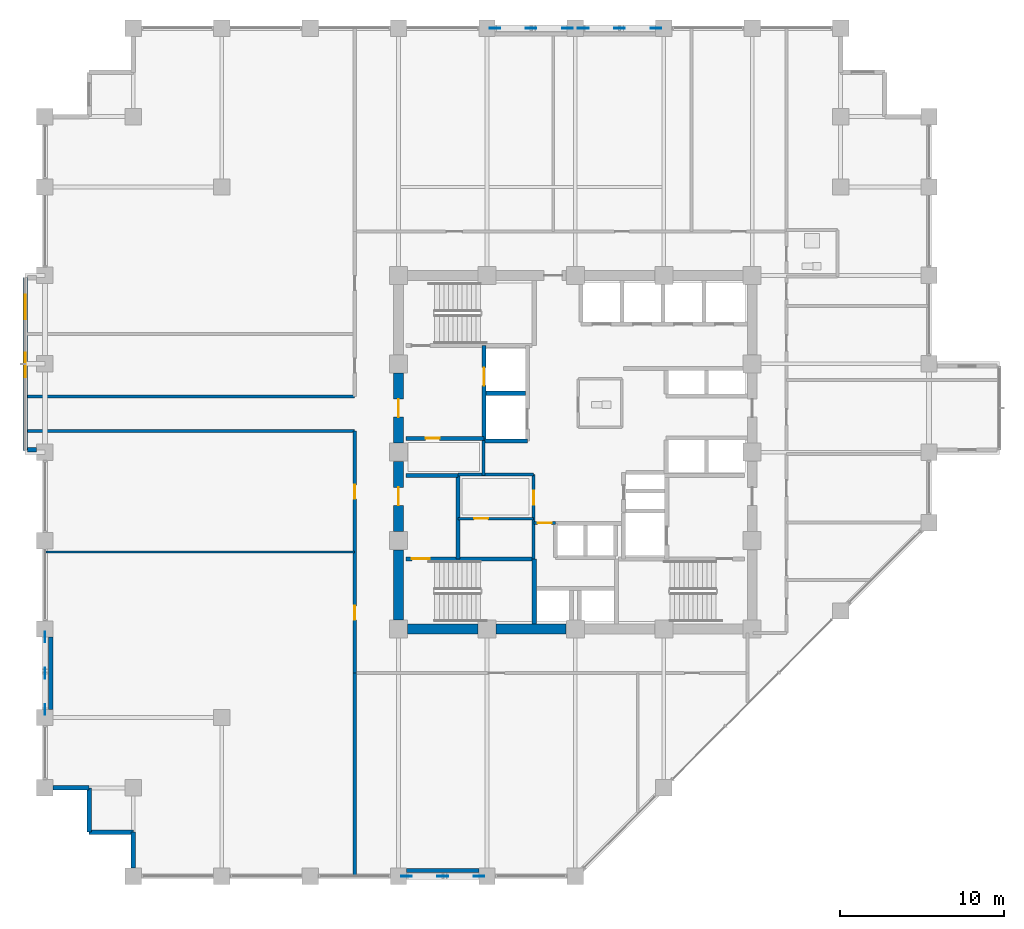
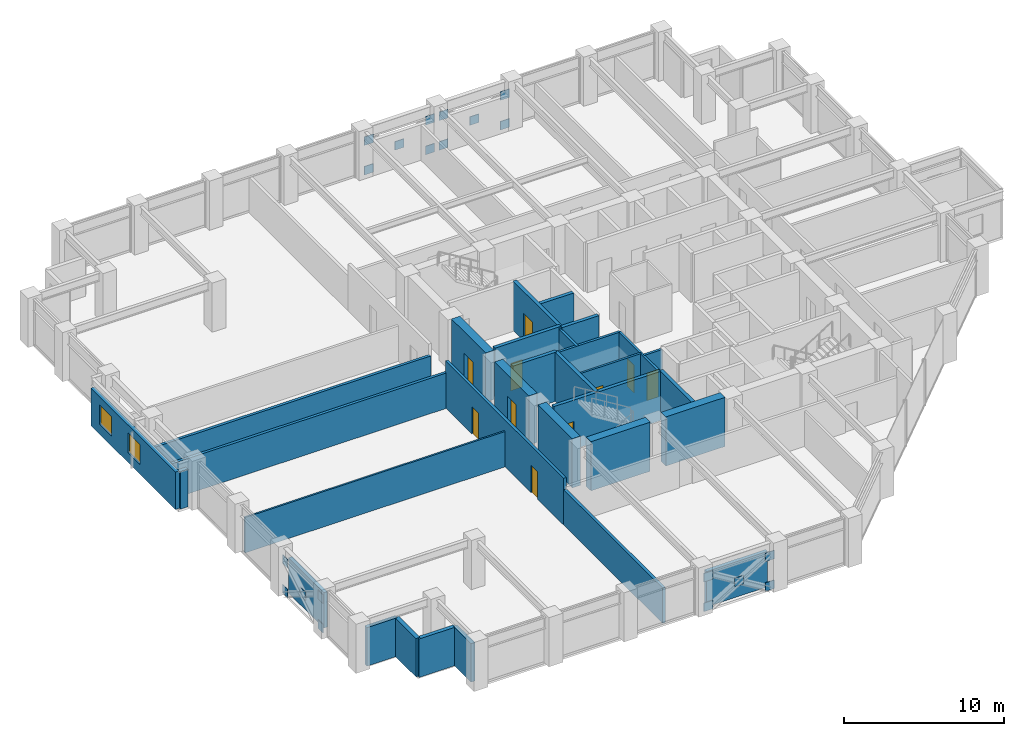
# One storey, part 19 of 26: 31 walls, 20 plates, 10 doors, 2 windows, 12 openings.
"""IFC4 building model written with IfcOpenShell, lengths in metres."""

from ifc_helpers import new_model, si_unit, direction, frame, frame_2d, origin, origin_2d, place, context, subcontext, project, spatial, rectangle, extrude, material, layer, layer_set, type_object, element, fill, save


model = new_model("IFC4")

# Units and contexts
model_context = context("Model", 3, precision=1e-05, world=origin(), true_north=direction((0.0, 1.0)))
body_context = subcontext(model_context, "Body", "Model", "MODEL_VIEW")
ifc_project = project(units=[si_unit("LENGTHUNIT", "METRE"), si_unit("AREAUNIT", "SQUARE_METRE"), si_unit("VOLUMEUNIT", "CUBIC_METRE"), si_unit("PLANEANGLEUNIT", "RADIAN"), si_unit("MASSUNIT", "GRAM", prefix="KILO")], contexts=[model_context])

# Site, building, storey
site_placement = place(None, origin())
site = spatial("IfcSite", under=ifc_project, at=site_placement, CompositionType="ELEMENT")
building_placement = place(site_placement, origin())
building = spatial("IfcBuilding", under=site, at=building_placement, Name="Surkhivell Harbour Commons", CompositionType="ELEMENT")
storey_placement = place(building_placement, frame((0.0, 0.0, 147.0)))
storey = spatial("IfcBuildingStorey", under=building, at=storey_placement, Name="L38", CompositionType="ELEMENT", Elevation=147.0)

# Plates
ifc_material_1 = material(Name="Steel S460", Category="steel")
ifc_layer_1 = layer(ifc_material_1, 0.044921875)
ifc_layer_set_1 = layer_set([ifc_layer_1], Name="Steel S460")
plate_type = type_object("IfcPlateType", Name="PLT-GUS-650", PredefinedType="USERDEFINED", material=ifc_layer_set_1)
for number, where, z_axis, x_axis, name in (
    (1, (-4.9150390625, 25.89990234375, -0.08935546875), (0.0, 0.0, 1.0), (1.0, 0.0, 0.0), "L38 Perimeter Mega-Brace MB- Corner Gusset N-1"),
    (2, (-0.485107421875, 25.89990234375, -0.08935546875), (0.0, 0.0, 1.0), (1.0, 0.0, 0.0), "L38 Perimeter Mega-Brace MB- Corner Gusset N-2"),
    (3, (-4.9150390625, 25.89990234375, 2.170654296875), (0.0, 0.0, 1.0), (1.0, 0.0, 0.0), "L38 Perimeter Mega-Brace MB- Corner Gusset N-3"),
    (4, (-0.485107421875, 25.89990234375, 2.170654296875), (0.0, 0.0, 1.0), (1.0, 0.0, 0.0), "L38 Perimeter Mega-Brace MB- Corner Gusset N-4"),
    (5, (-2.699951171875, 25.89990234375, 1.04052734375), (0.0, 0.0, 1.0), (1.0, 0.0, 0.0), "L38 Perimeter Mega-Brace MB- Central Crossing Gusset N"),
    (6, (0.485107421875, 25.89990234375, -0.08935546875), (0.0, 0.0, 1.0), (1.0, 0.0, 0.0), "L38 Perimeter Mega-Brace MB- Corner Gusset N2-1"),
    (7, (4.9150390625, 25.89990234375, -0.08935546875), (0.0, 0.0, 1.0), (1.0, 0.0, 0.0), "L38 Perimeter Mega-Brace MB- Corner Gusset N2-2"),
    (8, (0.485107421875, 25.89990234375, 2.170654296875), (0.0, 0.0, 1.0), (1.0, 0.0, 0.0), "L38 Perimeter Mega-Brace MB- Corner Gusset N2-3"),
    (9, (4.9150390625, 25.89990234375, 2.170654296875), (0.0, 0.0, 1.0), (1.0, 0.0, 0.0), "L38 Perimeter Mega-Brace MB- Corner Gusset N2-4"),
    (10, (2.699951171875, 25.89990234375, 1.04052734375), (0.0, 0.0, 1.0), (1.0, 0.0, 0.0), "L38 Perimeter Mega-Brace MB- Central Crossing Gusset N2"),
    (11, (-10.31494140625, -25.89990234375, -0.08935546875), (0.0, 0.0, 1.0), (1.0, 0.0, 0.0), "L38 Perimeter Mega-Brace MB- Corner Gusset S-1"),
    (12, (-5.885009765625, -25.89990234375, -0.08935546875), (0.0, 0.0, 1.0), (1.0, 0.0, 0.0), "L38 Perimeter Mega-Brace MB- Corner Gusset S-2"),
    (13, (-10.31494140625, -25.89990234375, 2.170654296875), (0.0, 0.0, 1.0), (1.0, 0.0, 0.0), "L38 Perimeter Mega-Brace MB- Corner Gusset S-3"),
    (14, (-5.885009765625, -25.89990234375, 2.170654296875), (0.0, 0.0, 1.0), (1.0, 0.0, 0.0), "L38 Perimeter Mega-Brace MB- Corner Gusset S-4"),
    (15, (-8.10009765625, -25.89990234375, 1.04052734375), (0.0, 0.0, 1.0), (1.0, 0.0, 0.0), "L38 Perimeter Mega-Brace MB- Central Crossing Gusset S"),
    (16, (-32.39990234375, -15.715087890625, -0.08935546875), (0.0, 0.0, 1.0), (0.0, 1.0, 0.0), "L38 Perimeter Mega-Brace MB- Corner Gusset W-1"),
    (17, (-32.39990234375, -11.284912109375, -0.08935546875), (0.0, 0.0, 1.0), (0.0, 1.0, 0.0), "L38 Perimeter Mega-Brace MB- Corner Gusset W-2"),
    (18, (-32.39990234375, -15.715087890625, 2.170654296875), (0.0, 0.0, 1.0), (0.0, 1.0, 0.0), "L38 Perimeter Mega-Brace MB- Corner Gusset W-3"),
    (19, (-32.39990234375, -11.284912109375, 2.170654296875), (0.0, 0.0, 1.0), (0.0, 1.0, 0.0), "L38 Perimeter Mega-Brace MB- Corner Gusset W-4"),
    (20, (-32.39990234375, -13.5, 1.04052734375), (0.0, 0.0, 1.0), (0.0, 1.0, 0.0), "L38 Perimeter Mega-Brace MB- Central Crossing Gusset W"),
):
    element("IfcPlate", number, at=place(storey_placement, frame(where, z_axis=z_axis, x_axis=x_axis)), inside=storey, type_object=plate_type, Name=name, ObjectType="GUSSET_PLATE", PredefinedType="USERDEFINED", context=body_context, shape_type="SweptSolid", body=[
        extrude(rectangle(XDim=0.64990234375, YDim=0.044921875, at=origin_2d()), origin(), (0.0, 0.0, 1.0), 0.64990234375),
    ])

# Walls
ifc_material_2 = material(Name="Concrete C60/75", Category="concrete")
ifc_layer_2 = layer(ifc_material_2, 0.60009765625)
ifc_layer_set_2 = layer_set([ifc_layer_2], Name="Concrete C60/75")
wall_type_1 = type_object("IfcWallType", Name="WAL-CORE-600", PredefinedType="SHEAR", material=ifc_layer_set_2)
for number, where, z_axis, x_axis, name in (
    (21, (-10.239990234375, -10.800048828125, 0.0), (0.0, 0.0, 1.0), (1.0, 0.0, 0.0), "L38 Core Shear Wall South 1"),
    (22, (-10.800048828125, -10.239990234375, 0.0), (0.0, 0.0, 1.0), (0.0, 1.0, 0.0), "L38 Core Shear Wall West 1"),
    (23, (-4.840087890625, -10.800048828125, 0.0), (0.0, 0.0, 1.0), (1.0, 0.0, 0.0), "L38 Core Shear Wall South 2"),
):
    element("IfcWall", number, at=place(storey_placement, frame(where, z_axis=z_axis, x_axis=x_axis)), inside=storey, type_object=wall_type_1, Name=name, PredefinedType="SHEAR", context=body_context, shape_type="SweptSolid", body=[
        extrude(rectangle(XDim=4.280029296875, YDim=0.60009765625, at=frame_2d((2.14013671875, 0.0))), origin(), (0.0, 0.0, 1.0), 3.75),
    ])

# Wall, opening, door
wall_1_placement = place(storey_placement, frame((-10.800048828125, -4.840087890625, 0.0), z_axis=(0.0, 0.0, 1.0), x_axis=(0.0, 1.0, 0.0)))
wall_1 = element("IfcWall", 24, at=wall_1_placement, inside=storey, type_object=wall_type_1, Name="L38 Core Shear Wall West 2", PredefinedType="SHEAR", context=body_context, shape_type="SweptSolid", body=[
    extrude(rectangle(XDim=4.280029296875, YDim=0.60009765625, at=frame_2d((2.14013671875, 0.0))), origin(), (0.0, 0.0, 1.0), 3.75),
])
opening_1_placement = place(wall_1_placement, frame((1.590087890625, 0.0, 0.0)))
opening_1 = element("IfcOpeningElement", 25, at=opening_1_placement, cuts=wall_1, Name="Opening ID-2", PredefinedType="OPENING", context=body_context, shape_type="SweptSolid", body=[
    extrude(rectangle(XDim=1.10009765625, YDim=2.10009765625, at=frame_2d((0.550048828125, 1.050048828125))), frame((0.0, 0.31005859375, 0.0), z_axis=(0.0, -1.0, 0.0), x_axis=(1.0, 0.0, 0.0)), (0.0, 0.0, 1.0), 0.6201171875),
])
ifc_material_3 = material(Name="Hardwood-veneered fire-rated door leaf", Category="wood")
door_type_1 = type_object("IfcDoorType", Name="DOR-FD60-1100", OperationType="NOTDEFINED", PredefinedType="DOOR", material=ifc_material_3)
door_1_placement = place(opening_1_placement, origin())
door_1 = element("IfcDoor", 26, at=door_1_placement, inside=storey, type_object=door_type_1, Name="L38 Stair 3 Lobby Corridor Door", OperationType="SINGLE_SWING_LEFT", OverallHeight=2.10009765625, OverallWidth=1.10009765625, PredefinedType="DOOR", context=body_context, shape_type="SweptSolid", body=[
    extrude(rectangle(XDim=1.10009765625, YDim=2.10009765625, at=frame_2d((0.550048828125, 1.050048828125))), frame((0.0, 0.02490234375, 0.0), z_axis=(0.0, -1.0, 0.0), x_axis=(1.0, 0.0, 0.0)), (0.0, 0.0, 1.0), 0.050048828125),
])
fill(opening_1, door_1)

wall_2_placement = place(storey_placement, frame((-10.800048828125, 0.56005859375, 0.0), z_axis=(0.0, 0.0, 1.0), x_axis=(0.0, 1.0, 0.0)))
wall_2 = element("IfcWall", 27, at=wall_2_placement, inside=storey, type_object=wall_type_1, Name="L38 Core Shear Wall West 3", PredefinedType="SHEAR", context=body_context, shape_type="SweptSolid", body=[
    extrude(rectangle(XDim=4.280029296875, YDim=0.60009765625, at=frame_2d((2.14013671875, 0.0))), origin(), (0.0, 0.0, 1.0), 3.75),
])
opening_2_placement = place(wall_2_placement, frame((1.590087890625, 0.0, 0.0)))
opening_2 = element("IfcOpeningElement", 28, at=opening_2_placement, cuts=wall_2, Name="Opening ID-1", PredefinedType="OPENING", context=body_context, shape_type="SweptSolid", body=[
    extrude(rectangle(XDim=1.10009765625, YDim=2.10009765625, at=frame_2d((0.550048828125, 1.050048828125))), frame((0.0, 0.31005859375, 0.0), z_axis=(0.0, -1.0, 0.0), x_axis=(1.0, 0.0, 0.0)), (0.0, 0.0, 1.0), 0.6201171875),
])
door_type_2 = type_object("IfcDoorType", Name="DOR-FD120-1100", OperationType="NOTDEFINED", PredefinedType="DOOR", material=ifc_material_3)
door_2_placement = place(opening_2_placement, origin())
door_2 = element("IfcDoor", 29, at=door_2_placement, inside=storey, type_object=door_type_2, Name="L38 Firefighting Lobby 1 Corridor Door", OperationType="SINGLE_SWING_LEFT", OverallHeight=2.10009765625, OverallWidth=1.10009765625, PredefinedType="DOOR", context=body_context, shape_type="SweptSolid", body=[
    extrude(rectangle(XDim=1.10009765625, YDim=2.10009765625, at=frame_2d((0.550048828125, 1.050048828125))), frame((0.0, 0.02490234375, 0.0), z_axis=(0.0, -1.0, 0.0), x_axis=(1.0, 0.0, 0.0)), (0.0, 0.0, 1.0), 0.050048828125),
])
fill(opening_2, door_2)

# Walls
ifc_material_4 = material(Name="Pale-metal insulated precast concrete C45/55", Category="concrete")
ifc_layer_3 = layer(ifc_material_4, 0.260009765625)
ifc_layer_set_3 = layer_set([ifc_layer_3], Name="Pale-metal insulated precast concrete C45/55")
wall_type_2 = type_object("IfcWallType", Name="WAL-EXT-MTL260", PredefinedType="STANDARD", material=ifc_layer_set_3)
wall_3_placement = place(storey_placement, frame((-10.302001953125, -25.5400390625, 0.0), z_axis=(0.0, 0.0, 1.0), x_axis=(1.0, 0.0, 0.0)))
element("IfcWall", 30, at=wall_3_placement, inside=storey, type_object=wall_type_2, Name="L38 Braced-Bay Insulated Spandrel Backing S", PredefinedType="STANDARD", context=body_context, shape_type="SweptSolid", body=[
    extrude(rectangle(XDim=4.404052734375, YDim=0.260009765625, at=frame_2d((2.2021484375, 0.0))), origin(), (0.0, 0.0, 1.0), 2.698974609375),
])
wall_4_placement = place(storey_placement, frame((-32.0400390625, -15.701904296875, 0.0), z_axis=(0.0, 0.0, 1.0), x_axis=(0.0, 1.0, 0.0)))
element("IfcWall", 31, at=wall_4_placement, inside=storey, type_object=wall_type_2, Name="L38 Braced-Bay Insulated Spandrel Backing W", PredefinedType="STANDARD", context=body_context, shape_type="SweptSolid", body=[
    extrude(rectangle(XDim=4.40380859375, YDim=0.260009765625, at=frame_2d((2.201904296875, 0.0))), origin(), (0.0, 0.0, 1.0), 2.698974609375),
])

# Wall, openings, windows
ifc_material_5 = material(Name="Terracotta-clad reinforced concrete C45/55", Category="masonry")
ifc_layer_4 = layer(ifc_material_5, 0.280029296875)
ifc_layer_set_4 = layer_set([ifc_layer_4], Name="Terracotta-clad reinforced concrete C45/55")
wall_type_3 = type_object("IfcWallType", Name="WAL-EXT-TER280", PredefinedType="STANDARD", material=ifc_layer_set_4)
wall_5_placement = place(storey_placement, frame((-33.60009765625, 10.679931640625, 0.0), z_axis=(0.0, 0.0, 1.0), x_axis=(0.0, -1.0, 0.0)))
wall_5 = element("IfcWall", 32, at=wall_5_placement, inside=storey, type_object=wall_type_3, Name="L38 Coloured Box Front Wall 02", PredefinedType="STANDARD", context=body_context, shape_type="SweptSolid", body=[
    extrude(rectangle(XDim=10.559814453125, YDim=0.280029296875, at=frame_2d((5.27978515625, 0.0))), origin(), (0.0, 0.0, 1.0), 2.85693359375),
])
opening_3_placement = place(wall_5_placement, frame((1.06494140625, 0.0, 0.75)))
opening_3 = element("IfcOpeningElement", 33, at=opening_3_placement, cuts=wall_5, Name="Opening WN-13", PredefinedType="OPENING", context=body_context, shape_type="SweptSolid", body=[
    extrude(rectangle(XDim=1.5, YDim=1.5, at=frame_2d((0.75, 0.75))), frame((0.0, 0.14990234375, 0.0), z_axis=(0.0, -1.0, 0.0), x_axis=(1.0, 0.0, 0.0)), (0.0, 0.0, 1.0), 0.300048828125),
])
opening_4_placement = place(wall_5_placement, frame((4.614990234375, 0.0, 0.75)))
opening_4 = element("IfcOpeningElement", 34, at=opening_4_placement, cuts=wall_5, Name="Opening WN-13", PredefinedType="OPENING", context=body_context, shape_type="SweptSolid", body=[
    extrude(rectangle(XDim=1.5, YDim=1.5, at=frame_2d((0.75, 0.75))), frame((0.0, 0.14990234375, 0.0), z_axis=(0.0, -1.0, 0.0), x_axis=(1.0, 0.0, 0.0)), (0.0, 0.0, 1.0), 0.300048828125),
])
ifc_material_6 = material(Name="Thermal-break aluminium frame and double low-E glazing", Category="aluminium")
window_type = type_object("IfcWindowType", Name="WIN-BOX-1500x1500", PartitioningType="SINGLE_PANEL", PredefinedType="WINDOW", material=ifc_material_6)
window_1_placement = place(opening_3_placement, origin())
window_1 = element("IfcWindow", 35, at=window_1_placement, inside=storey, type_object=window_type, Name="L38 Coloured Box Square Window 02-1", OverallHeight=1.5, OverallWidth=1.5, PartitioningType="SINGLE_PANEL", PredefinedType="WINDOW", context=body_context, shape_type="SweptSolid", body=[
    extrude(rectangle(XDim=1.5, YDim=1.5, at=frame_2d((0.75, 0.75))), frame((0.0, 0.030029296875, 0.0), z_axis=(0.0, -1.0, 0.0), x_axis=(1.0, 0.0, 0.0)), (0.0, 0.0, 1.0), 0.06005859375),
])
fill(opening_3, window_1)
window_2_placement = place(opening_4_placement, origin())
window_2 = element("IfcWindow", 36, at=window_2_placement, inside=storey, type_object=window_type, Name="L38 Coloured Box Square Window 02-2", OverallHeight=1.5, OverallWidth=1.5, PartitioningType="SINGLE_PANEL", PredefinedType="WINDOW", context=body_context, shape_type="SweptSolid", body=[
    extrude(rectangle(XDim=1.5, YDim=1.5, at=frame_2d((0.75, 0.75))), frame((0.0, 0.030029296875, 0.0), z_axis=(0.0, -1.0, 0.0), x_axis=(1.0, 0.0, 0.0)), (0.0, 0.0, 1.0), 0.06005859375),
])
fill(opening_4, window_2)

# Walls
wall_6_placement = place(storey_placement, frame((-33.4599609375, 0.139892578125, 0.0), z_axis=(0.0, 0.0, 1.0), x_axis=(1.0, 0.0, 0.0)))
element("IfcWall", 37, at=wall_6_placement, inside=storey, type_object=wall_type_3, Name="L38 Coloured Box Return Wall 02S", PredefinedType="STANDARD", context=body_context, shape_type="SweptSolid", body=[
    extrude(rectangle(XDim=0.555908203125, YDim=0.280029296875, at=frame_2d((0.27783203125, 0.0))), origin(), (0.0, 0.0, 1.0), 2.85693359375),
])
wall_7_placement = place(storey_placement, frame((-31.902099609375, -20.5, 0.0), z_axis=(0.0, 0.0, 1.0), x_axis=(1.0, 0.0, 0.0)))
element("IfcWall", 38, at=wall_7_placement, inside=storey, type_object=wall_type_3, Name="L38 Serrated Corner Facade Wall 13", PredefinedType="STANDARD", context=body_context, shape_type="SweptSolid", body=[
    extrude(rectangle(XDim=2.2021484375, YDim=0.280029296875, at=frame_2d((1.10107421875, 0.0))), origin(), (0.0, 0.0, 1.0), 2.93310546875),
])
for number, where, z_axis, x_axis, name in (
    (39, (-29.699951171875, -20.5, 0.0), (0.0, 0.0, 1.0), (0.0, -1.0, 0.0), "L38 Serrated Corner Facade Wall 14"),
    (40, (-29.699951171875, -23.199951171875, 0.0), (0.0, 0.0, 1.0), (1.0, 0.0, 0.0), "L38 Serrated Corner Facade Wall 15"),
):
    element("IfcWall", number, at=place(storey_placement, frame(where, z_axis=z_axis, x_axis=x_axis)), inside=storey, type_object=wall_type_3, Name=name, PredefinedType="STANDARD", context=body_context, shape_type="SweptSolid", body=[
        extrude(rectangle(XDim=2.699951171875, YDim=0.280029296875, at=frame_2d((1.35009765625, 0.0))), origin(), (0.0, 0.0, 1.0), 2.93310546875),
    ])
wall_8_placement = place(storey_placement, frame((-27.0, -23.199951171875, 0.0), z_axis=(0.0, 0.0, 1.0), x_axis=(0.0, -1.0, 0.0)))
element("IfcWall", 41, at=wall_8_placement, inside=storey, type_object=wall_type_3, Name="L38 Serrated Corner Facade Wall 16", PredefinedType="STANDARD", context=body_context, shape_type="SweptSolid", body=[
    extrude(rectangle(XDim=2.2021484375, YDim=0.280029296875, at=frame_2d((1.10107421875, 0.0))), origin(), (0.0, 0.0, 1.0), 2.93310546875),
])
ifc_material_7 = material(Name="Moisture-resistant acoustic stud partition", Category="other")
ifc_layer_5 = layer(ifc_material_7, 0.125)
ifc_layer_set_5 = layer_set([ifc_layer_5], Name="Moisture-resistant acoustic stud partition")
wall_type_4 = type_object("IfcWallType", Name="WAL-INT-125", PredefinedType="PARTITIONING", material=ifc_layer_set_5)
wall_9_placement = place(storey_placement, frame((-32.340087890625, -6.090087890625, 0.0), z_axis=(0.0, 0.0, 1.0), x_axis=(1.0, 0.0, 0.0)))
element("IfcWall", 42, at=wall_9_placement, inside=storey, type_object=wall_type_4, Name="L38 South-West Partition P1", PredefinedType="PARTITIONING", context=body_context, shape_type="SweptSolid", body=[
    extrude(rectangle(XDim=18.860107421875, YDim=0.125, at=frame_2d((9.43017578125, 0.0))), origin(), (0.0, 0.0, 1.0), 2.698974609375),
])

# Wall, opening, door
ifc_material_8 = material(Name="Twin-stud acoustic fireboard partition", Category="other")
ifc_layer_6 = layer(ifc_material_8, 0.14990234375)
ifc_layer_set_6 = layer_set([ifc_layer_6], Name="Twin-stud acoustic fireboard partition")
wall_type_5 = type_object("IfcWallType", Name="WAL-INT-150", PredefinedType="PARTITIONING", material=ifc_layer_set_6)
wall_10_placement = place(storey_placement, frame((-7.179931640625, -4.050048828125, 0.0), z_axis=(0.0, 0.0, 1.0), x_axis=(1.0, 0.0, 0.0)))
wall_10 = element("IfcWall", 43, at=wall_10_placement, inside=storey, type_object=wall_type_5, Name="L38 Core Cut A Partition", PredefinedType="PARTITIONING", context=body_context, shape_type="SweptSolid", body=[
    extrude(rectangle(XDim=4.6298828125, YDim=0.14990234375, at=frame_2d((2.31494140625, 0.0))), origin(), (0.0, 0.0, 1.0), 3.570068359375),
])
opening_5_placement = place(wall_10_placement, frame((1.0, 0.0, 0.0)))
opening_5 = element("IfcOpeningElement", 44, at=opening_5_placement, cuts=wall_10, Name="Opening ID-6", PredefinedType="OPENING", context=body_context, shape_type="SweptSolid", body=[
    extrude(rectangle(XDim=0.85009765625, YDim=2.10009765625, at=frame_2d((0.425048828125, 1.050048828125))), frame((0.0, 0.0849609375, 0.0), z_axis=(0.0, -1.0, 0.0), x_axis=(1.0, 0.0, 0.0)), (0.0, 0.0, 1.0), 0.169921875),
])
door_type_3 = type_object("IfcDoorType", Name="DOR-FD30-850", OperationType="NOTDEFINED", PredefinedType="DOOR", material=ifc_material_3)
door_3_placement = place(opening_5_placement, origin())
door_3 = element("IfcDoor", 45, at=door_3_placement, inside=storey, type_object=door_type_3, Name="L38 Linen Room Door", OperationType="SINGLE_SWING_RIGHT", OverallHeight=2.10009765625, OverallWidth=0.85009765625, PredefinedType="DOOR", context=body_context, shape_type="SweptSolid", body=[
    extrude(rectangle(XDim=0.85009765625, YDim=2.10009765625, at=frame_2d((0.425048828125, 1.050048828125))), frame((0.0, 0.02490234375, 0.0), z_axis=(0.0, -1.0, 0.0), x_axis=(1.0, 0.0, 0.0)), (0.0, 0.0, 1.0), 0.050048828125),
])
fill(opening_5, door_3)

ifc_material_9 = material(Name="High-density acoustic blockwork fire partition", Category="masonry")
ifc_layer_7 = layer(ifc_material_9, 0.175048828125)
ifc_layer_set_7 = layer_set([ifc_layer_7], Name="High-density acoustic blockwork fire partition")
wall_type_6 = type_object("IfcWallType", Name="WAL-INT-175", PredefinedType="PARTITIONING", material=ifc_layer_set_7)
wall_11_placement = place(storey_placement, frame((-2.550048828125, -6.510009765625, 0.0), z_axis=(0.0, 0.0, 1.0), x_axis=(0.0, 1.0, 0.0)))
wall_11 = element("IfcWall", 46, at=wall_11_placement, inside=storey, type_object=wall_type_6, Name="L38 Core Service Bay East Wall", PredefinedType="PARTITIONING", context=body_context, shape_type="SweptSolid", body=[
    extrude(rectangle(XDim=5.159912109375, YDim=0.175048828125, at=frame_2d((2.580078125, 0.0))), origin(), (0.0, 0.0, 1.0), 3.570068359375),
])
opening_6_placement = place(wall_11_placement, frame((3.300048828125, 0.0, 0.0)))
opening_6 = element("IfcOpeningElement", 47, at=opening_6_placement, cuts=wall_11, Name="Opening ID-6", PredefinedType="OPENING", context=body_context, shape_type="SweptSolid", body=[
    extrude(rectangle(XDim=0.85009765625, YDim=2.10009765625, at=frame_2d((0.425048828125, 1.050048828125))), frame((0.0, 0.097412109375, 0.0), z_axis=(0.0, -1.0, 0.0), x_axis=(1.0, 0.0, 0.0)), (0.0, 0.0, 1.0), 0.195068359375),
])
door_4_placement = place(opening_6_placement, origin())
door_4 = element("IfcDoor", 48, at=door_4_placement, inside=storey, type_object=door_type_3, Name="L38 Core Reading Alcove Door", OperationType="SINGLE_SWING_LEFT", OverallHeight=2.10009765625, OverallWidth=0.85009765625, PredefinedType="DOOR", context=body_context, shape_type="SweptSolid", body=[
    extrude(rectangle(XDim=0.85009765625, YDim=2.10009765625, at=frame_2d((0.425048828125, 1.050048828125))), frame((0.0, 0.02490234375, 0.0), z_axis=(0.0, -1.0, 0.0), x_axis=(1.0, 0.0, 0.0)), (0.0, 0.0, 1.0), 0.050048828125),
])
fill(opening_6, door_4)

# Walls
wall_12_placement = place(storey_placement, frame((-7.179931640625, -1.35009765625, 0.0), z_axis=(0.0, 0.0, 1.0), x_axis=(1.0, 0.0, 0.0)))
element("IfcWall", 49, at=wall_12_placement, inside=storey, type_object=wall_type_6, Name="L38 Core Service Bay North Wall", PredefinedType="PARTITIONING", context=body_context, shape_type="SweptSolid", body=[
    extrude(rectangle(XDim=4.6298828125, YDim=0.175048828125, at=frame_2d((2.31494140625, 0.0))), origin(), (0.0, 0.0, 1.0), 3.570068359375),
])
wall_13_placement = place(storey_placement, frame((-5.6201171875, -1.419921875, 0.0), z_axis=(0.0, 0.0, 1.0), x_axis=(0.0, 1.0, 0.0)))
element("IfcWall", 50, at=wall_13_placement, inside=storey, type_object=wall_type_6, Name="L38 West Core Bay East Wall", PredefinedType="PARTITIONING", context=body_context, shape_type="SweptSolid", body=[
    extrude(rectangle(XDim=2.139892578125, YDim=0.175048828125, at=frame_2d((1.06982421875, 0.0))), origin(), (0.0, 0.0, 1.0), 3.570068359375),
])

# Wall, opening, door
wall_14_placement = place(storey_placement, frame((-2.52001953125, -4.320068359375, 0.0), z_axis=(0.0, 0.0, 1.0), x_axis=(1.0, 0.0, 0.0)))
wall_14 = element("IfcWall", 51, at=wall_14_placement, inside=storey, type_object=wall_type_6, Name="L38 High-Rise Lobby North Portal Wall", PredefinedType="PARTITIONING", context=body_context, shape_type="SweptSolid", body=[
    extrude(rectangle(XDim=1.300048828125, YDim=0.175048828125, at=frame_2d((0.64990234375, 0.0))), origin(), (0.0, 0.0, 1.0), 3.570068359375),
])
opening_7_placement = place(wall_14_placement, frame((0.219970703125, 0.0, 0.0)))
opening_7 = element("IfcOpeningElement", 52, at=opening_7_placement, cuts=wall_14, Name="Opening ID-6", PredefinedType="OPENING", context=body_context, shape_type="SweptSolid", body=[
    extrude(rectangle(XDim=0.85009765625, YDim=2.10009765625, at=frame_2d((0.425048828125, 1.050048828125))), frame((0.0, 0.097412109375, 0.0), z_axis=(0.0, -1.0, 0.0), x_axis=(1.0, 0.0, 0.0)), (0.0, 0.0, 1.0), 0.195068359375),
])
door_5_placement = place(opening_7_placement, origin())
door_5 = element("IfcDoor", 53, at=door_5_placement, inside=storey, type_object=door_type_3, Name="L38 High-Rise Lift Lobby North Door", OperationType="SINGLE_SWING_LEFT", OverallHeight=2.10009765625, OverallWidth=0.85009765625, PredefinedType="DOOR", context=body_context, shape_type="SweptSolid", body=[
    extrude(rectangle(XDim=0.85009765625, YDim=2.10009765625, at=frame_2d((0.425048828125, 1.050048828125))), frame((0.0, 0.02490234375, 0.0), z_axis=(0.0, -1.0, 0.0), x_axis=(1.0, 0.0, 0.0)), (0.0, 0.0, 1.0), 0.050048828125),
])
fill(opening_7, door_5)

# Walls
ifc_material_10 = material(Name="Autoclaved aerated concrete blockwork and fire plaster", Category="masonry")
ifc_layer_8 = layer(ifc_material_10, 0.199951171875)
ifc_layer_set_8 = layer_set([ifc_layer_8], Name="Autoclaved aerated concrete blockwork and fire plaster")
wall_type_7 = type_object("IfcWallType", Name="WAL-INT-200", PredefinedType="PARTITIONING", material=ifc_layer_set_8)
wall_15_placement = place(storey_placement, frame((-13.47998046875, -25.840087890625, 0.0), z_axis=(0.0, 0.0, 1.0), x_axis=(0.0, 1.0, 0.0)))
element("IfcWall", 54, at=wall_15_placement, inside=storey, type_object=wall_type_7, Name="L38 South-West Wing Corner Divider", PredefinedType="PARTITIONING", context=body_context, shape_type="SweptSolid", body=[
    extrude(rectangle(XDim=12.360107421875, YDim=0.199951171875, at=frame_2d((6.18017578125, 0.0))), origin(), (0.0, 0.0, 1.0), 2.698974609375),
])
for number, where, z_axis, x_axis, name in (
    (55, (-33.5400390625, 3.39990234375, 0.0), (0.0, 0.0, 1.0), (1.0, 0.0, 0.0), "L38 West Alcove North Wall"),
    (56, (-33.5400390625, 1.300048828125, 0.0), (0.0, 0.0, 1.0), (1.0, 0.0, 0.0), "L38 West Alcove South Wall"),
):
    element("IfcWall", number, at=place(storey_placement, frame(where, z_axis=z_axis, x_axis=x_axis)), inside=storey, type_object=wall_type_7, Name=name, PredefinedType="PARTITIONING", context=body_context, shape_type="SweptSolid", body=[
        extrude(rectangle(XDim=20.06005859375, YDim=0.199951171875, at=frame_2d((10.030029296875, 0.0))), origin(), (0.0, 0.0, 1.0), 2.698974609375),
    ])

# Wall, openings, doors
wall_16_placement = place(storey_placement, frame((-13.47998046875, -13.47998046875, 0.0), z_axis=(0.0, 0.0, 1.0), x_axis=(0.0, 1.0, 0.0)))
wall_16 = element("IfcWall", 57, at=wall_16_placement, inside=storey, type_object=wall_type_7, Name="L38 Corridor West-Lower Wall", PredefinedType="PARTITIONING", context=body_context, shape_type="SweptSolid", body=[
    extrude(rectangle(XDim=14.780029296875, YDim=0.199951171875, at=frame_2d((7.39013671875, 0.0))), origin(), (0.0, 0.0, 1.0), 3.570068359375),
])
opening_8_placement = place(wall_16_placement, frame((3.2451171875, 0.0, 0.0)))
opening_8 = element("IfcOpeningElement", 58, at=opening_8_placement, cuts=wall_16, Name="Opening ID-6", PredefinedType="OPENING", context=body_context, shape_type="SweptSolid", body=[
    extrude(rectangle(XDim=0.85009765625, YDim=2.10009765625, at=frame_2d((0.425048828125, 1.050048828125))), frame((0.0, 0.10986328125, 0.0), z_axis=(0.0, -1.0, 0.0), x_axis=(1.0, 0.0, 0.0)), (0.0, 0.0, 1.0), 0.219970703125),
])
opening_9_placement = place(wall_16_placement, frame((10.635009765625, 0.0, 0.0)))
opening_9 = element("IfcOpeningElement", 59, at=opening_9_placement, cuts=wall_16, Name="Opening ID-6", PredefinedType="OPENING", context=body_context, shape_type="SweptSolid", body=[
    extrude(rectangle(XDim=0.85009765625, YDim=2.10009765625, at=frame_2d((0.425048828125, 1.050048828125))), frame((0.0, 0.10986328125, 0.0), z_axis=(0.0, -1.0, 0.0), x_axis=(1.0, 0.0, 0.0)), (0.0, 0.0, 1.0), 0.219970703125),
])
door_6_placement = place(opening_8_placement, origin())
door_6 = element("IfcDoor", 60, at=door_6_placement, inside=storey, type_object=door_type_3, Name="L38 Campus Co-Op Bookshop South-West Door", OperationType="SINGLE_SWING_RIGHT", OverallHeight=2.10009765625, OverallWidth=0.85009765625, PredefinedType="DOOR", context=body_context, shape_type="SweptSolid", body=[
    extrude(rectangle(XDim=0.85009765625, YDim=2.10009765625, at=frame_2d((0.425048828125, 1.050048828125))), frame((0.0, 0.02490234375, 0.0), z_axis=(0.0, -1.0, 0.0), x_axis=(1.0, 0.0, 0.0)), (0.0, 0.0, 1.0), 0.050048828125),
])
fill(opening_8, door_6)
door_7_placement = place(opening_9_placement, origin())
door_7 = element("IfcDoor", 61, at=door_7_placement, inside=storey, type_object=door_type_3, Name="L38 Harbour Espresso Cafe Shop South-West Door", OperationType="SINGLE_SWING_LEFT", OverallHeight=2.10009765625, OverallWidth=0.85009765625, PredefinedType="DOOR", context=body_context, shape_type="SweptSolid", body=[
    extrude(rectangle(XDim=0.85009765625, YDim=2.10009765625, at=frame_2d((0.425048828125, 1.050048828125))), frame((0.0, 0.02490234375, 0.0), z_axis=(0.0, -1.0, 0.0), x_axis=(1.0, 0.0, 0.0)), (0.0, 0.0, 1.0), 0.050048828125),
])
fill(opening_9, door_7)

# Wall, opening, door
ifc_material_11 = material(Name="Concrete C50/60", Category="concrete")
ifc_layer_9 = layer(ifc_material_11, 0.25)
ifc_layer_set_9 = layer_set([ifc_layer_9], Name="Concrete C50/60")
wall_type_8 = type_object("IfcWallType", Name="WAL-SHAFT-250", PredefinedType="SHEAR", material=ifc_layer_set_9)
wall_17_placement = place(storey_placement, frame((-5.580078125, 0.719970703125, 0.0), z_axis=(0.0, 0.0, 1.0), x_axis=(0.0, 1.0, 0.0)))
wall_17 = element("IfcWall", 62, at=wall_17_placement, inside=storey, type_object=wall_type_8, Name="L38 Firefighting Lobby 1 East Shaft Wall", PredefinedType="SHEAR", context=body_context, shape_type="SweptSolid", body=[
    extrude(rectangle(XDim=5.7900390625, YDim=0.25, at=frame_2d((2.89501953125, 0.0))), origin(), (0.0, 0.0, 1.0), 3.75),
])
opening_10_placement = place(wall_17_placement, frame((3.35009765625, 0.0, 0.0)))
opening_10 = element("IfcOpeningElement", 63, at=opening_10_placement, cuts=wall_17, Name="Opening LD-1", PredefinedType="OPENING", context=body_context, shape_type="SweptSolid", body=[
    extrude(rectangle(XDim=1.10009765625, YDim=2.10009765625, at=frame_2d((0.550048828125, 1.050048828125))), frame((0.0, 0.135009765625, 0.0), z_axis=(0.0, -1.0, 0.0), x_axis=(1.0, 0.0, 0.0)), (0.0, 0.0, 1.0), 0.27001953125),
])
ifc_material_12 = material(Name="Brushed stainless steel S355", Category="steel")
door_type_4 = type_object("IfcDoorType", Name="DOR-LD-1100", OperationType="SLIDING_TO_LEFT", PredefinedType="DOOR", material=ifc_material_12)
door_8_placement = place(opening_10_placement, origin())
door_8 = element("IfcDoor", 64, at=door_8_placement, inside=storey, type_object=door_type_4, Name="L38 Lift Landing Door LD-FFL1", OperationType="SLIDING_TO_LEFT", OverallHeight=2.10009765625, OverallWidth=1.10009765625, PredefinedType="DOOR", context=body_context, shape_type="SweptSolid", body=[
    extrude(rectangle(XDim=1.10009765625, YDim=2.10009765625, at=frame_2d((0.550048828125, 1.050048828125))), frame((0.0, 0.02490234375, 0.0), z_axis=(0.0, -1.0, 0.0), x_axis=(1.0, 0.0, 0.0)), (0.0, 0.0, 1.0), 0.050048828125),
])
fill(opening_10, door_8)

wall_18_placement = place(storey_placement, frame((-10.340087890625, 0.85009765625, 0.0), z_axis=(0.0, 0.0, 1.0), x_axis=(1.0, 0.0, 0.0)))
wall_18 = element("IfcWall", 65, at=wall_18_placement, inside=storey, type_object=wall_type_8, Name="L38 Firefighting Lobby 1 South Wall", PredefinedType="SHEAR", context=body_context, shape_type="SweptSolid", body=[
    extrude(rectangle(XDim=4.760009765625, YDim=0.25, at=frame_2d((2.3798828125, 0.0))), origin(), (0.0, 0.0, 1.0), 3.75),
])
opening_11_placement = place(wall_18_placement, frame((1.199951171875, 0.0, 0.0)))
opening_11 = element("IfcOpeningElement", 66, at=opening_11_placement, cuts=wall_18, Name="Opening ID-6", PredefinedType="OPENING", context=body_context, shape_type="SweptSolid", body=[
    extrude(rectangle(XDim=0.85009765625, YDim=2.10009765625, at=frame_2d((0.425048828125, 1.050048828125))), frame((0.0, 0.135009765625, 0.0), z_axis=(0.0, -1.0, 0.0), x_axis=(1.0, 0.0, 0.0)), (0.0, 0.0, 1.0), 0.27001953125),
])
door_9_placement = place(opening_11_placement, origin())
door_9 = element("IfcDoor", 67, at=door_9_placement, inside=storey, type_object=door_type_3, Name="L38 West Quiet Study Door", OperationType="SINGLE_SWING_RIGHT", OverallHeight=2.10009765625, OverallWidth=0.85009765625, PredefinedType="DOOR", context=body_context, shape_type="SweptSolid", body=[
    extrude(rectangle(XDim=0.85009765625, YDim=2.10009765625, at=frame_2d((0.425048828125, 1.050048828125))), frame((0.0, 0.02490234375, 0.0), z_axis=(0.0, -1.0, 0.0), x_axis=(1.0, 0.0, 0.0)), (0.0, 0.0, 1.0), 0.050048828125),
])
fill(opening_11, door_9)

# Walls
wall_19_placement = place(storey_placement, frame((-2.510009765625, -10.5, 0.0), z_axis=(0.0, 0.0, 1.0), x_axis=(0.0, 1.0, 0.0)))
element("IfcWall", 68, at=wall_19_placement, inside=storey, type_object=wall_type_8, Name="L38 Stair ST3 East Shear Wall", PredefinedType="SHEAR", context=body_context, shape_type="SweptSolid", body=[
    extrude(rectangle(XDim=3.989990234375, YDim=0.25, at=frame_2d((1.9951171875, 0.0))), origin(), (0.0, 0.0, 1.0), 3.75),
])
wall_20_placement = place(storey_placement, frame((-7.179931640625, -6.510009765625, 0.0), z_axis=(0.0, 0.0, 1.0), x_axis=(0.0, 1.0, 0.0)))
element("IfcWall", 69, at=wall_20_placement, inside=storey, type_object=wall_type_8, Name="L38 Stair 3 Lobby East Wall", PredefinedType="SHEAR", context=body_context, shape_type="SweptSolid", body=[
    extrude(rectangle(XDim=5.090087890625, YDim=0.25, at=frame_2d((2.544921875, 0.0))), origin(), (0.0, 0.0, 1.0), 3.75),
])
wall_21_placement = place(storey_placement, frame((-10.340087890625, -1.419921875, 0.0), z_axis=(0.0, 0.0, 1.0), x_axis=(1.0, 0.0, 0.0)))
element("IfcWall", 70, at=wall_21_placement, inside=storey, type_object=wall_type_8, Name="L38 Stair 3 Lobby North Wall", PredefinedType="SHEAR", context=body_context, shape_type="SweptSolid", body=[
    extrude(rectangle(XDim=3.16015625, YDim=0.25, at=frame_2d((1.580078125, 0.0))), origin(), (0.0, 0.0, 1.0), 3.75),
])

# Wall, opening, door
wall_22_placement = place(storey_placement, frame((-10.340087890625, -6.510009765625, 0.0), z_axis=(0.0, 0.0, 1.0), x_axis=(1.0, 0.0, 0.0)))
wall_22 = element("IfcWall", 71, at=wall_22_placement, inside=storey, type_object=wall_type_8, Name="L38 Stair ST3 North Shear Wall", PredefinedType="SHEAR", context=body_context, shape_type="SweptSolid", body=[
    extrude(rectangle(XDim=7.7001953125, YDim=0.25, at=frame_2d((3.85009765625, 0.0))), origin(), (0.0, 0.0, 1.0), 3.75),
])
opening_12_placement = place(wall_22_placement, frame((0.35009765625, 0.0, 0.0)))
opening_12 = element("IfcOpeningElement", 72, at=opening_12_placement, cuts=wall_22, Name="Opening ID-2", PredefinedType="OPENING", context=body_context, shape_type="SweptSolid", body=[
    extrude(rectangle(XDim=1.10009765625, YDim=2.10009765625, at=frame_2d((0.550048828125, 1.050048828125))), frame((0.0, 0.135009765625, 0.0), z_axis=(0.0, -1.0, 0.0), x_axis=(1.0, 0.0, 0.0)), (0.0, 0.0, 1.0), 0.27001953125),
])
door_10_placement = place(opening_12_placement, origin())
door_10 = element("IfcDoor", 73, at=door_10_placement, inside=storey, type_object=door_type_1, Name="L38 Stair ST3 Exit Door", OperationType="SINGLE_SWING_RIGHT", OverallHeight=2.10009765625, OverallWidth=1.10009765625, PredefinedType="DOOR", context=body_context, shape_type="SweptSolid", body=[
    extrude(rectangle(XDim=1.10009765625, YDim=2.10009765625, at=frame_2d((0.550048828125, 1.050048828125))), frame((0.0, 0.02490234375, 0.0), z_axis=(0.0, -1.0, 0.0), x_axis=(1.0, 0.0, 0.0)), (0.0, 0.0, 1.0), 0.050048828125),
])
fill(opening_12, door_10)

# Walls
wall_23_placement = place(storey_placement, frame((-5.449951171875, 3.60009765625, 0.0), z_axis=(0.0, 0.0, 1.0), x_axis=(1.0, 0.0, 0.0)))
element("IfcWall", 74, at=wall_23_placement, inside=storey, type_object=wall_type_8, Name="L38 FFL1/SVL1 Shaft Divider", PredefinedType="SHEAR", context=body_context, shape_type="SweptSolid", body=[
    extrude(rectangle(XDim=2.389892578125, YDim=0.25, at=frame_2d((1.19482421875, 0.0))), origin(), (0.0, 0.0, 1.0), 3.75),
])
wall_24_placement = place(storey_placement, frame((-5.580078125, 0.679931640625, 0.0), z_axis=(0.0, 0.0, 1.0), x_axis=(1.0, 0.0, 0.0)))
element("IfcWall", 75, at=wall_24_placement, inside=storey, type_object=wall_type_8, Name="L38 SVL1 South Shaft Wall", PredefinedType="SHEAR", context=body_context, shape_type="SweptSolid", body=[
    extrude(rectangle(XDim=2.650146484375, YDim=0.25, at=frame_2d((1.3251953125, 0.0))), origin(), (0.0, 0.0, 1.0), 3.75),
])

save(model, "model.ifc")
